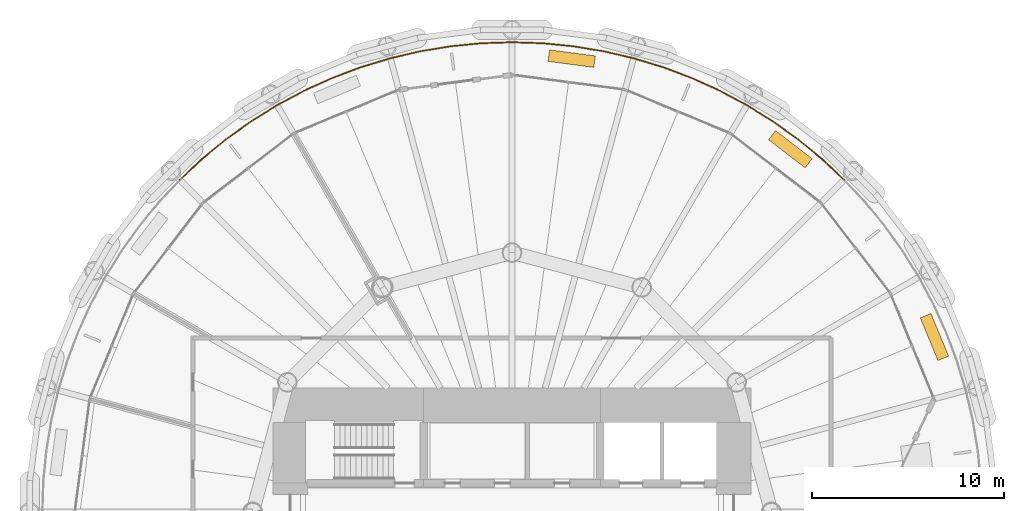
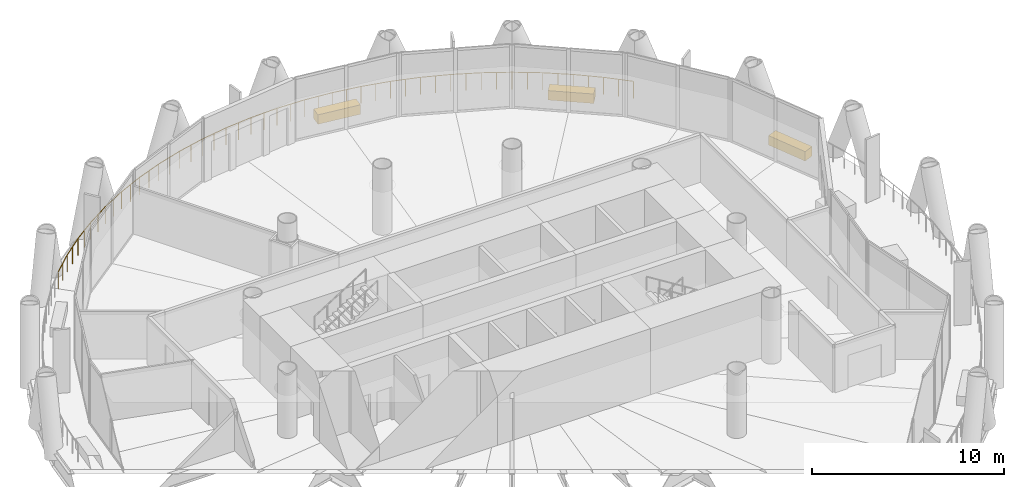
# One storey, part 15 of 15: 3 coverings, 1 railing.
"""IFC4 building model written with IfcOpenShell, lengths in metres."""

from ifc_helpers import new_model, si_unit, direction, frame, origin, origin_2d, place, context, subcontext, project, spatial, rectangle, circle, extrude, material, layer, layer_set, type_object, element, save


model = new_model("IFC4")

# Units and contexts
model_context = context("Model", 3, precision=1e-05, world=origin(), true_north=direction((0.0, 1.0)))
body_context = subcontext(model_context, "Body", "Model", "MODEL_VIEW")
ifc_project = project(units=[si_unit("LENGTHUNIT", "METRE"), si_unit("AREAUNIT", "SQUARE_METRE"), si_unit("VOLUMEUNIT", "CUBIC_METRE"), si_unit("PLANEANGLEUNIT", "RADIAN"), si_unit("MASSUNIT", "GRAM", prefix="KILO")], contexts=[model_context])

# Site, building, storey
site_placement = place(None, origin())
site = spatial("IfcSite", under=ifc_project, at=site_placement, CompositionType="ELEMENT")
building_placement = place(site_placement, origin())
building = spatial("IfcBuilding", under=site, at=building_placement, Name="Qaws Media Tower", CompositionType="ELEMENT")
storey_placement = place(building_placement, frame((0.0, 0.0, 122.60009765625)))
storey = spatial("IfcBuildingStorey", under=building, at=storey_placement, Name="L27", CompositionType="ELEMENT", Elevation=122.60009765625)

# Railing
ifc_material_1 = material(Name="Stainless steel and glass guard", Category="steel")
railing_type = type_object("IfcRailingType", Name="Balcony guard 1100", PredefinedType="GUARDRAIL", material=ifc_material_1)
railing_placement = place(storey_placement, frame((77.288818359375, 67.288818359375, 0.0)))
element("IfcRailing", 1, at=railing_placement, inside=storey, type_object=railing_type, Name="GR1 balcony guard L27-1", PredefinedType="GUARDRAIL", context=body_context, shape_type="SweptSolid", body=[
    extrude(circle(Radius=0.02392578125, at=origin_2d()), frame((0.0, 0.0, 1.076171875), z_axis=(-0.729846437179, 0.683611130788, 0.0), x_axis=(-0.683611130788, -0.729846437179, 0.0)), (0.0, 0.0, 1.0), 1.599853515625),
    extrude(circle(Radius=0.02392578125, at=origin_2d()), frame((-1.167724609375, 1.09375, 1.076171875), z_axis=(-0.773052264414, 0.634342333827, 0.0), x_axis=(-0.634342333827, -0.773052264414, 0.0)), (0.0, 0.0, 1.0), 1.599853515625),
    extrude(circle(Radius=0.02392578125, at=origin_2d()), frame((-2.404541015625, 2.108642578125, 1.076171875), z_axis=(-0.812866495667, 0.582450049551, 0.0), x_axis=(-0.582450049551, -0.812866495667, 0.0)), (0.0, 0.0, 1.0), 1.599853515625),
    extrude(circle(Radius=0.02392578125, at=origin_2d()), frame((-3.705078125, 3.04052734375, 1.076171875), z_axis=(-0.849170660789, 0.528118536746, 0.0), x_axis=(-0.528118536746, -0.849170660789, 0.0)), (0.0, 0.0, 1.0), 1.599853515625),
    extrude(circle(Radius=0.02392578125, at=origin_2d()), frame((-5.063720703125, 3.885498046875, 1.076171875), z_axis=(-0.881951354239, 0.471340438278, 0.0), x_axis=(-0.471340438278, -0.881951354239, 0.0)), (0.0, 0.0, 1.0), 1.60009765625),
    extrude(circle(Radius=0.02392578125, at=origin_2d()), frame((-6.474853515625, 4.6396484375, 1.076171875), z_axis=(-0.910836214767, 0.412767961291, 0.0), x_axis=(-0.412767961291, -0.910836214767, 0.0)), (0.0, 0.0, 1.0), 1.599853515625),
    extrude(circle(Radius=0.02392578125, at=origin_2d()), frame((-7.93212890625, 5.300048828125, 1.076171875), z_axis=(-0.935939832286, 0.352159949938, 0.0), x_axis=(-0.352159949938, -0.935939832286, 0.0)), (0.0, 0.0, 1.0), 1.60009765625),
    extrude(circle(Radius=0.02392578125, at=origin_2d()), frame((-9.4296875, 5.863525390625, 1.076171875), z_axis=(-0.956910110118, 0.290384299084, 0.0), x_axis=(-0.290384299084, -0.956910110118, 0.0)), (0.0, 0.0, 1.0), 1.599853515625),
    extrude(circle(Radius=0.02392578125, at=origin_2d()), frame((-10.960693359375, 6.328125, 1.076171875), z_axis=(-0.973879465991, 0.227065597837, 0.0), x_axis=(-0.227065597837, -0.973879465991, 0.0)), (0.0, 0.0, 1.0), 1.599853515625),
    extrude(circle(Radius=0.02392578125, at=origin_2d()), frame((-12.518798828125, 6.69140625, 1.076171875), z_axis=(-0.986656594599, 0.162815123173, 0.0), x_axis=(-0.162815123173, -0.986656594599, 0.0)), (0.0, 0.0, 1.0), 1.599853515625),
    extrude(circle(Radius=0.02392578125, at=origin_2d()), frame((-14.097412109375, 6.951904296875, 1.076171875), z_axis=(-0.995175210003, 0.098113716656, 0.0), x_axis=(-0.098113716656, -0.995175210003, 0.0)), (0.0, 0.0, 1.0), 1.60009765625),
    extrude(circle(Radius=0.02392578125, at=origin_2d()), frame((-15.689697265625, 7.10888671875, 1.076171875), z_axis=(-0.999466705098, 0.032654332044, 0.0), x_axis=(-0.032654332044, -0.999466705098, 0.0)), (0.0, 0.0, 1.0), 1.599853515625),
    extrude(circle(Radius=0.02392578125, at=origin_2d()), frame((-17.288818359375, 7.1611328125, 1.076171875), z_axis=(-0.999466705098, -0.032654332044, 0.0), x_axis=(0.032654332044, -0.999466705098, 0.0)), (0.0, 0.0, 1.0), 1.599853515625),
    extrude(circle(Radius=0.02392578125, at=origin_2d()), frame((-18.887939453125, 7.10888671875, 1.076171875), z_axis=(-0.995175210003, -0.098113716656, 0.0), x_axis=(0.098113716656, -0.995175210003, 0.0)), (0.0, 0.0, 1.0), 1.60009765625),
    extrude(circle(Radius=0.02392578125, at=origin_2d()), frame((-20.480224609375, 6.951904296875, 1.076171875), z_axis=(-0.986656594599, -0.162815123173, 0.0), x_axis=(0.162815123173, -0.986656594599, 0.0)), (0.0, 0.0, 1.0), 1.599853515625),
    extrude(circle(Radius=0.02392578125, at=origin_2d()), frame((-22.058837890625, 6.69140625, 1.076171875), z_axis=(-0.973879465991, -0.227065597837, 0.0), x_axis=(0.227065597837, -0.973879465991, 0.0)), (0.0, 0.0, 1.0), 1.599853515625),
    extrude(circle(Radius=0.02392578125, at=origin_2d()), frame((-23.616943359375, 6.328125, 1.076171875), z_axis=(-0.956910110118, -0.290384299084, 0.0), x_axis=(0.290384299084, -0.956910110118, 0.0)), (0.0, 0.0, 1.0), 1.599853515625),
    extrude(circle(Radius=0.02392578125, at=origin_2d()), frame((-25.14794921875, 5.863525390625, 1.076171875), z_axis=(-0.935939832286, -0.352159949938, 0.0), x_axis=(0.352159949938, -0.935939832286, 0.0)), (0.0, 0.0, 1.0), 1.60009765625),
    extrude(circle(Radius=0.02392578125, at=origin_2d()), frame((-26.6455078125, 5.300048828125, 1.076171875), z_axis=(-0.910836214767, -0.412767961291, 0.0), x_axis=(0.412767961291, -0.910836214767, 0.0)), (0.0, 0.0, 1.0), 1.599853515625),
    extrude(circle(Radius=0.02392578125, at=origin_2d()), frame((-28.102783203125, 4.6396484375, 1.076171875), z_axis=(-0.881951354239, -0.471340438278, 0.0), x_axis=(0.471340438278, -0.881951354239, 0.0)), (0.0, 0.0, 1.0), 1.60009765625),
    extrude(circle(Radius=0.02392578125, at=origin_2d()), frame((-29.513916015625, 3.885498046875, 1.076171875), z_axis=(-0.849170660789, -0.528118536746, 0.0), x_axis=(0.528118536746, -0.849170660789, 0.0)), (0.0, 0.0, 1.0), 1.599853515625),
    extrude(circle(Radius=0.02392578125, at=origin_2d()), frame((-30.87255859375, 3.04052734375, 1.076171875), z_axis=(-0.812866495667, -0.582450049551, 0.0), x_axis=(0.582450049551, -0.812866495667, 0.0)), (0.0, 0.0, 1.0), 1.599853515625),
    extrude(circle(Radius=0.02392578125, at=origin_2d()), frame((-32.173095703125, 2.108642578125, 1.076171875), z_axis=(-0.773052264414, -0.634342333827, 0.0), x_axis=(0.634342333827, -0.773052264414, 0.0)), (0.0, 0.0, 1.0), 1.599853515625),
    extrude(circle(Radius=0.02392578125, at=origin_2d()), frame((-33.409912109375, 1.09375, 1.076171875), z_axis=(-0.729846437179, -0.683611130788, 0.0), x_axis=(0.683611130788, -0.729846437179, 0.0)), (0.0, 0.0, 1.0), 1.599853515625),
    extrude(circle(Radius=0.02099609375, at=origin_2d()), origin(), (0.0, 0.0, 1.0), 1.052001953125),
    extrude(circle(Radius=0.02099609375, at=origin_2d()), frame((-0.583984375, 0.546875, 0.0)), (0.0, 0.0, 1.0), 1.052001953125),
    extrude(circle(Radius=0.02099609375, at=origin_2d()), frame((-1.167724609375, 1.09375, 0.0)), (0.0, 0.0, 1.0), 1.052001953125),
    extrude(circle(Radius=0.02099609375, at=origin_2d()), frame((-1.7861328125, 1.60107421875, 0.0)), (0.0, 0.0, 1.0), 1.052001953125),
    extrude(circle(Radius=0.02099609375, at=origin_2d()), frame((-2.404541015625, 2.108642578125, 0.0)), (0.0, 0.0, 1.0), 1.052001953125),
    extrude(circle(Radius=0.02099609375, at=origin_2d()), frame((-3.0546875, 2.57470703125, 0.0)), (0.0, 0.0, 1.0), 1.052001953125),
    extrude(circle(Radius=0.02099609375, at=origin_2d()), frame((-3.705078125, 3.04052734375, 0.0)), (0.0, 0.0, 1.0), 1.052001953125),
    extrude(circle(Radius=0.02099609375, at=origin_2d()), frame((-4.38427734375, 3.462890625, 0.0)), (0.0, 0.0, 1.0), 1.052001953125),
    extrude(circle(Radius=0.02099609375, at=origin_2d()), frame((-5.063720703125, 3.885498046875, 0.0)), (0.0, 0.0, 1.0), 1.052001953125),
    extrude(circle(Radius=0.02099609375, at=origin_2d()), frame((-5.769287109375, 4.2626953125, 0.0)), (0.0, 0.0, 1.0), 1.052001953125),
    extrude(circle(Radius=0.02099609375, at=origin_2d()), frame((-6.474853515625, 4.6396484375, 0.0)), (0.0, 0.0, 1.0), 1.052001953125),
    extrude(circle(Radius=0.02099609375, at=origin_2d()), frame((-7.20361328125, 4.9697265625, 0.0)), (0.0, 0.0, 1.0), 1.052001953125),
    extrude(circle(Radius=0.02099609375, at=origin_2d()), frame((-7.93212890625, 5.300048828125, 0.0)), (0.0, 0.0, 1.0), 1.052001953125),
    extrude(circle(Radius=0.02099609375, at=origin_2d()), frame((-8.680908203125, 5.581787109375, 0.0)), (0.0, 0.0, 1.0), 1.052001953125),
    extrude(circle(Radius=0.02099609375, at=origin_2d()), frame((-9.4296875, 5.863525390625, 0.0)), (0.0, 0.0, 1.0), 1.052001953125),
    extrude(circle(Radius=0.02099609375, at=origin_2d()), frame((-10.1953125, 6.095703125, 0.0)), (0.0, 0.0, 1.0), 1.052001953125),
    extrude(circle(Radius=0.02099609375, at=origin_2d()), frame((-10.960693359375, 6.328125, 0.0)), (0.0, 0.0, 1.0), 1.052001953125),
    extrude(circle(Radius=0.02099609375, at=origin_2d()), frame((-11.73974609375, 6.509765625, 0.0)), (0.0, 0.0, 1.0), 1.052001953125),
    extrude(circle(Radius=0.02099609375, at=origin_2d()), frame((-12.518798828125, 6.69140625, 0.0)), (0.0, 0.0, 1.0), 1.052001953125),
    extrude(circle(Radius=0.02099609375, at=origin_2d()), frame((-13.30810546875, 6.82177734375, 0.0)), (0.0, 0.0, 1.0), 1.052001953125),
    extrude(circle(Radius=0.02099609375, at=origin_2d()), frame((-14.097412109375, 6.951904296875, 0.0)), (0.0, 0.0, 1.0), 1.052001953125),
    extrude(circle(Radius=0.02099609375, at=origin_2d()), frame((-14.8935546875, 7.0302734375, 0.0)), (0.0, 0.0, 1.0), 1.052001953125),
    extrude(circle(Radius=0.02099609375, at=origin_2d()), frame((-15.689697265625, 7.10888671875, 0.0)), (0.0, 0.0, 1.0), 1.052001953125),
    extrude(circle(Radius=0.02099609375, at=origin_2d()), frame((-16.4892578125, 7.135009765625, 0.0)), (0.0, 0.0, 1.0), 1.052001953125),
    extrude(circle(Radius=0.02099609375, at=origin_2d()), frame((-17.288818359375, 7.1611328125, 0.0)), (0.0, 0.0, 1.0), 1.052001953125),
    extrude(circle(Radius=0.02099609375, at=origin_2d()), frame((-18.08837890625, 7.135009765625, 0.0)), (0.0, 0.0, 1.0), 1.052001953125),
    extrude(circle(Radius=0.02099609375, at=origin_2d()), frame((-18.887939453125, 7.10888671875, 0.0)), (0.0, 0.0, 1.0), 1.052001953125),
    extrude(circle(Radius=0.02099609375, at=origin_2d()), frame((-19.68408203125, 7.0302734375, 0.0)), (0.0, 0.0, 1.0), 1.052001953125),
    extrude(circle(Radius=0.02099609375, at=origin_2d()), frame((-20.480224609375, 6.951904296875, 0.0)), (0.0, 0.0, 1.0), 1.052001953125),
    extrude(circle(Radius=0.02099609375, at=origin_2d()), frame((-21.26953125, 6.82177734375, 0.0)), (0.0, 0.0, 1.0), 1.052001953125),
    extrude(circle(Radius=0.02099609375, at=origin_2d()), frame((-22.058837890625, 6.69140625, 0.0)), (0.0, 0.0, 1.0), 1.052001953125),
    extrude(circle(Radius=0.02099609375, at=origin_2d()), frame((-22.837890625, 6.509765625, 0.0)), (0.0, 0.0, 1.0), 1.052001953125),
    extrude(circle(Radius=0.02099609375, at=origin_2d()), frame((-23.616943359375, 6.328125, 0.0)), (0.0, 0.0, 1.0), 1.052001953125),
    extrude(circle(Radius=0.02099609375, at=origin_2d()), frame((-24.38232421875, 6.095703125, 0.0)), (0.0, 0.0, 1.0), 1.052001953125),
    extrude(circle(Radius=0.02099609375, at=origin_2d()), frame((-25.14794921875, 5.863525390625, 0.0)), (0.0, 0.0, 1.0), 1.052001953125),
    extrude(circle(Radius=0.02099609375, at=origin_2d()), frame((-25.896728515625, 5.581787109375, 0.0)), (0.0, 0.0, 1.0), 1.052001953125),
    extrude(circle(Radius=0.02099609375, at=origin_2d()), frame((-26.6455078125, 5.300048828125, 0.0)), (0.0, 0.0, 1.0), 1.052001953125),
    extrude(circle(Radius=0.02099609375, at=origin_2d()), frame((-27.3740234375, 4.9697265625, 0.0)), (0.0, 0.0, 1.0), 1.052001953125),
    extrude(circle(Radius=0.02099609375, at=origin_2d()), frame((-28.102783203125, 4.6396484375, 0.0)), (0.0, 0.0, 1.0), 1.052001953125),
    extrude(circle(Radius=0.02099609375, at=origin_2d()), frame((-28.808349609375, 4.2626953125, 0.0)), (0.0, 0.0, 1.0), 1.052001953125),
    extrude(circle(Radius=0.02099609375, at=origin_2d()), frame((-29.513916015625, 3.885498046875, 0.0)), (0.0, 0.0, 1.0), 1.052001953125),
    extrude(circle(Radius=0.02099609375, at=origin_2d()), frame((-30.193359375, 3.462890625, 0.0)), (0.0, 0.0, 1.0), 1.052001953125),
    extrude(circle(Radius=0.02099609375, at=origin_2d()), frame((-30.87255859375, 3.04052734375, 0.0)), (0.0, 0.0, 1.0), 1.052001953125),
    extrude(circle(Radius=0.02099609375, at=origin_2d()), frame((-31.52294921875, 2.57470703125, 0.0)), (0.0, 0.0, 1.0), 1.052001953125),
    extrude(circle(Radius=0.02099609375, at=origin_2d()), frame((-32.173095703125, 2.108642578125, 0.0)), (0.0, 0.0, 1.0), 1.052001953125),
    extrude(circle(Radius=0.02099609375, at=origin_2d()), frame((-32.79150390625, 1.60107421875, 0.0)), (0.0, 0.0, 1.0), 1.052001953125),
    extrude(circle(Radius=0.02099609375, at=origin_2d()), frame((-33.409912109375, 1.09375, 0.0)), (0.0, 0.0, 1.0), 1.052001953125),
    extrude(circle(Radius=0.02099609375, at=origin_2d()), frame((-33.99365234375, 0.546875, 0.0)), (0.0, 0.0, 1.0), 1.052001953125),
    extrude(circle(Radius=0.02099609375, at=origin_2d()), frame((-34.57763671875, 0.0, 0.0)), (0.0, 0.0, 1.0), 1.052001953125),
])

# Coverings
ifc_material_2 = material(Name="Precast concrete planter with trailing planting", Category="concrete")
ifc_layer = layer(ifc_material_2, 0.60009765625)
ifc_layer_set = layer_set([ifc_layer], Name="Planter 2400x600")
covering_type = type_object("IfcCoveringType", Name="Planter 2400x600", PredefinedType="USERDEFINED", material=ifc_layer_set)
for number, where, z_axis, x_axis, name in (
    (2, (81.98828125, 59.10791015625, -0.000244140625), (0.0, 0.0, 1.0), (-0.382683432365, 0.923879532511, 0.0), "PL1 balcony planter L27-01"),
    (3, (74.488525390625, 68.8818359375, -0.000244140625), (0.0, 0.0, 1.0), (-0.793353340291, 0.608761429009, 0.0), "PL1 balcony planter L27-02"),
    (4, (63.1064453125, 73.596435546875, -0.000244140625), (0.0, 0.0, 1.0), (-0.991444861374, 0.13052619222, 0.0), "PL1 balcony planter L27-03"),
):
    element("IfcCovering", number, at=place(storey_placement, frame(where, z_axis=z_axis, x_axis=x_axis)), inside=storey, type_object=covering_type, Name=name, ObjectType="PLANTER", PredefinedType="USERDEFINED", context=body_context, shape_type="SweptSolid", body=[
        extrude(rectangle(XDim=2.39990234375, YDim=0.60009765625, at=origin_2d()), origin(), (0.0, 0.0, 1.0), 0.60009765625),
    ])

save(model, "model.ifc")
